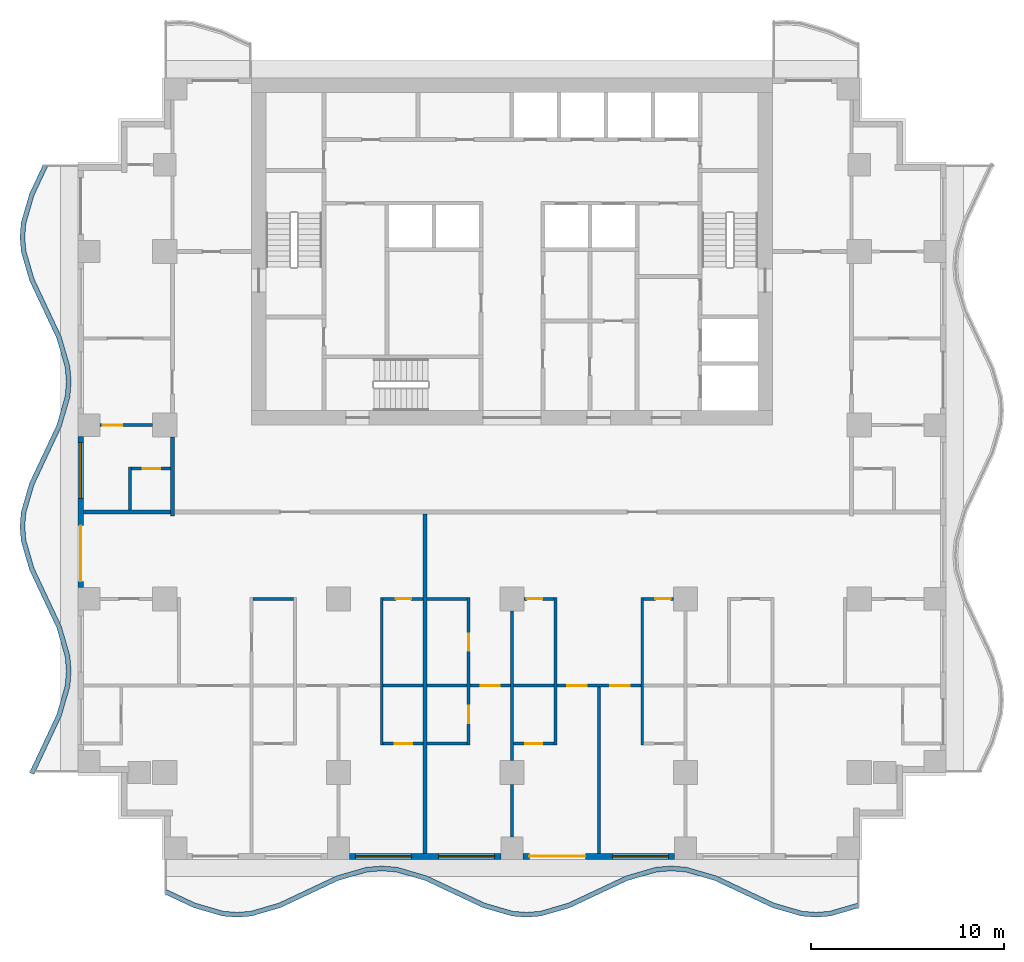
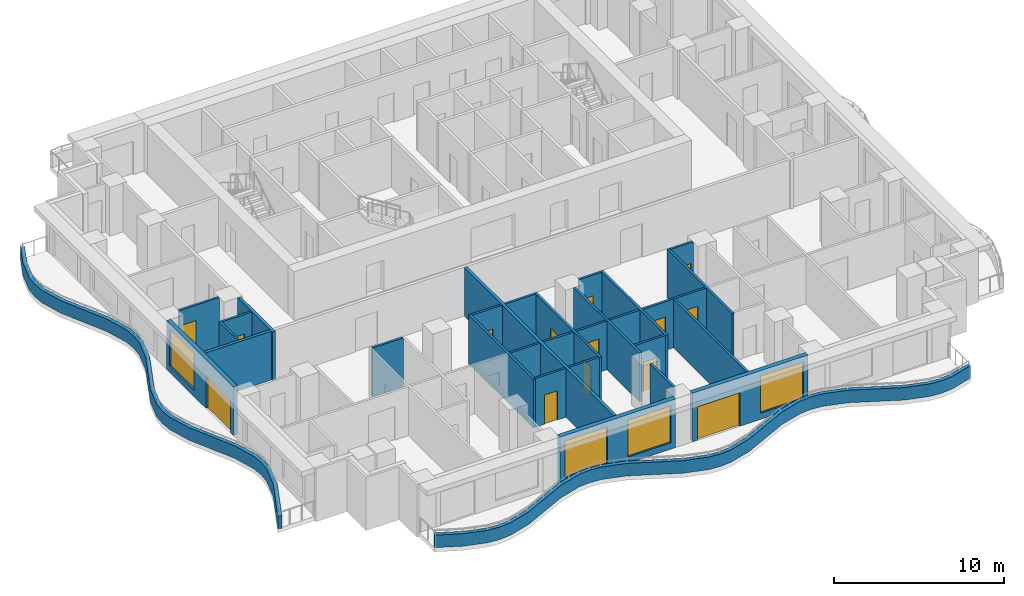
# One storey, part 2 of 10: 31 walls, 14 doors, 4 windows, 18 openings.
"""IFC4 building model written with IfcOpenShell, lengths in metres."""

from ifc_helpers import new_model, si_unit, direction, frame, frame_2d, origin, place, context, subcontext, project, spatial, polyline, rectangle, outline, extrude, material, layer, layer_set, type_object, element, fill, save


model = new_model("IFC4")

# Units and contexts
model_context = context("Model", 3, precision=1e-05, world=origin(), true_north=direction((0.0, 1.0)))
body_context = subcontext(model_context, "Body", "Model", "MODEL_VIEW")
ifc_project = project(units=[si_unit("LENGTHUNIT", "METRE"), si_unit("AREAUNIT", "SQUARE_METRE"), si_unit("VOLUMEUNIT", "CUBIC_METRE"), si_unit("PLANEANGLEUNIT", "RADIAN"), si_unit("MASSUNIT", "GRAM", prefix="KILO")], contexts=[model_context])

# Site, building, storey
site_placement = place(None, origin())
site = spatial("IfcSite", under=ifc_project, at=site_placement, CompositionType="ELEMENT")
building_placement = place(site_placement, origin())
building = spatial("IfcBuilding", under=site, at=building_placement, Name="Orbiselva Terraces", CompositionType="ELEMENT")
storey_placement = place(building_placement, frame((0.0, 0.0, 144.0)))
storey = spatial("IfcBuildingStorey", under=building, at=storey_placement, Name="L36", CompositionType="ELEMENT", Elevation=144.0)

# Walls
ifc_material_1 = material(Name="Concrete C40/50", Category="concrete")
ifc_layer_1 = layer(ifc_material_1, 0.25)
ifc_layer_set_1 = layer_set([ifc_layer_1], Name="Concrete C40/50")
wall_type_1 = type_object("IfcWallType", Name="ENV-PLANTER-250x900", PredefinedType="USERDEFINED", material=ifc_layer_set_1)
wall_1_placement = place(storey_placement, origin())
element("IfcWall", 1, at=wall_1_placement, inside=storey, type_object=wall_type_1, Name="Balcony planter L36 S", ObjectType="PLANTER", PredefinedType="USERDEFINED", context=body_context, shape_type="SweptSolid", body=[
    extrude(outline(polyline([(-18.0, -19.8), (-16.5, -20.505342), (-15.0, -20.941268), (-14.25, -21.0), (-13.5, -20.941268), (-12.0, -20.505342), (-10.5, -19.8), (-9.0, -19.094658), (-7.5, -18.658732), (-6.75, -18.6), (-6.0, -18.658732), (-4.5, -19.094658), (-3.0, -19.8), (-1.5, -20.505342), (0.0, -20.941268), (0.75, -21.0), (1.5, -20.941268), (3.0, -20.505342), (4.5, -19.8), (6.0, -19.094658), (7.5, -18.658732), (8.25, -18.6), (9.0, -18.658732), (10.5, -19.094658), (12.0, -19.8), (13.5, -20.505342), (15.0, -20.941268), (15.75, -21.0), (16.5, -20.941268), (18.0, -20.505342), (17.930232, -20.265274), (16.454886, -20.694035), (15.75, -20.749235), (15.045114, -20.694035), (13.588618, -20.270753), (12.106383, -19.573764), (10.588618, -18.860069), (9.045114, -18.411499), (8.25, -18.349235), (7.454886, -18.411499), (5.911382, -18.860069), (4.393617, -19.573764), (2.911382, -20.270753), (1.454886, -20.694035), (0.75, -20.749235), (0.045114, -20.694035), (-1.411382, -20.270753), (-2.893617, -19.573764), (-4.411382, -18.860069), (-5.954886, -18.411499), (-6.75, -18.349235), (-7.545114, -18.411499), (-9.088618, -18.860069), (-10.606383, -19.573764), (-12.088618, -20.270753), (-13.545114, -20.694035), (-14.25, -20.749235), (-14.954886, -20.694035), (-16.411382, -20.270753), (-17.893617, -19.573764), (-18.0, -19.8)])), origin(), (0.0, 0.0, 1.0), 0.9),
])
wall_2_placement = place(storey_placement, origin())
element("IfcWall", 2, at=wall_2_placement, inside=storey, type_object=wall_type_1, Name="Balcony planter L36 W", ObjectType="PLANTER", PredefinedType="USERDEFINED", context=body_context, shape_type="SweptSolid", body=[
    extrude(outline(polyline([(-24.3, 18.0), (-25.005342, 16.5), (-25.441268, 15.0), (-25.5, 14.25), (-25.441268, 13.5), (-25.005342, 12.0), (-24.3, 10.5), (-23.594658, 9.0), (-23.158732, 7.5), (-23.1, 6.75), (-23.158732, 6.0), (-23.594658, 4.5), (-24.3, 3.0), (-25.005342, 1.5), (-25.441268, 0.0), (-25.5, -0.75), (-25.441268, -1.5), (-25.005342, -3.0), (-24.3, -4.5), (-23.594658, -6.0), (-23.158732, -7.5), (-23.1, -8.25), (-23.158732, -9.0), (-23.594658, -10.5), (-24.3, -12.0), (-25.005342, -13.5), (-24.779106, -13.606383), (-24.073764, -12.106383), (-23.360069, -10.588618), (-22.911499, -9.045114), (-22.849235, -8.25), (-22.911499, -7.454886), (-23.360069, -5.911382), (-24.073764, -4.393617), (-24.770753, -2.911382), (-25.194035, -1.454886), (-25.249235, -0.75), (-25.194035, -0.045114), (-24.770753, 1.411382), (-24.073764, 2.893617), (-23.360069, 4.411382), (-22.911499, 5.954886), (-22.849235, 6.75), (-22.911499, 7.545114), (-23.360069, 9.088618), (-24.073764, 10.606383), (-24.770753, 12.088618), (-25.194035, 13.545114), (-25.249235, 14.25), (-25.194035, 14.954886), (-24.770753, 16.411382), (-24.073764, 17.893617), (-24.3, 18.0)])), origin(), (0.0, 0.0, 1.0), 0.9),
])

# Wall, openings, windows
ifc_material_2 = material(Name="Terracotta cladding on masonry backing", Category="masonry")
ifc_layer_2 = layer(ifc_material_2, 0.3)
ifc_layer_set_2 = layer_set([ifc_layer_2], Name="Terracotta cladding on masonry backing")
wall_type_2 = type_object("IfcWallType", Name="ENV-WALL-TERRACOTTA-300", PredefinedType="SOLIDWALL", material=ifc_layer_set_2)
wall_3_placement = place(storey_placement, frame((-0.575, -17.85, 0.0), z_axis=(0.0, 0.0, 1.0), x_axis=(-1.0, 0.0, 0.0)))
wall_3 = element("IfcWall", 3, at=wall_3_placement, inside=storey, type_object=wall_type_2, Name="Facade wall L36 S", PredefinedType="SOLIDWALL", context=body_context, shape_type="SweptSolid", body=[
    extrude(rectangle(XDim=7.85, YDim=0.3, at=frame_2d((3.925, 0.0))), origin(), (0.0, 0.0, 1.0), 3.5),
])
opening_1_placement = place(wall_3_placement, frame((4.625, 0.0, 0.45)))
opening_1 = element("IfcOpeningElement", 4, at=opening_1_placement, cuts=wall_3, Name="Opening WN8", PredefinedType="OPENING", context=body_context, shape_type="SweptSolid", body=[
    extrude(rectangle(XDim=2.9, YDim=2.65, at=frame_2d((1.45, 1.325))), frame((0.0, 0.16, 0.0), z_axis=(0.0, -1.0, 0.0), x_axis=(1.0, 0.0, 0.0)), (0.0, 0.0, 1.0), 0.32),
])
opening_2_placement = place(wall_3_placement, frame((0.325, 0.0, 0.45)))
opening_2 = element("IfcOpeningElement", 5, at=opening_2_placement, cuts=wall_3, Name="Opening WN8", PredefinedType="OPENING", context=body_context, shape_type="SweptSolid", body=[
    extrude(rectangle(XDim=2.9, YDim=2.65, at=frame_2d((1.45, 1.325))), frame((0.0, 0.16, 0.0), z_axis=(0.0, -1.0, 0.0), x_axis=(1.0, 0.0, 0.0)), (0.0, 0.0, 1.0), 0.32),
])
ifc_material_3 = material(Name="Clear low-e glazing in aluminium frame", Category="aluminium")
window_type = type_object("IfcWindowType", Name="WINDOW 2900 X 2650 S450", PartitioningType="TRIPLE_PANEL_VERTICAL", PredefinedType="WINDOW", material=ifc_material_3)
window_1_placement = place(opening_1_placement, origin())
window_1 = element("IfcWindow", 6, at=window_1_placement, inside=storey, type_object=window_type, Name="Window L36 S", OverallHeight=2.65, OverallWidth=2.9, PartitioningType="SINGLE_PANEL", PredefinedType="WINDOW", context=body_context, shape_type="SweptSolid", body=[
    extrude(rectangle(XDim=2.9, YDim=2.65, at=frame_2d((1.45, 1.325))), frame((0.0, 0.03, 0.0), z_axis=(0.0, -1.0, 0.0), x_axis=(1.0, 0.0, 0.0)), (0.0, 0.0, 1.0), 0.06),
])
fill(opening_1, window_1)
window_2_placement = place(opening_2_placement, origin())
window_2 = element("IfcWindow", 7, at=window_2_placement, inside=storey, type_object=window_type, Name="Window L36 S", OverallHeight=2.65, OverallWidth=2.9, PartitioningType="SINGLE_PANEL", PredefinedType="WINDOW", context=body_context, shape_type="SweptSolid", body=[
    extrude(rectangle(XDim=2.9, YDim=2.65, at=frame_2d((1.45, 1.325))), frame((0.0, 0.03, 0.0), z_axis=(0.0, -1.0, 0.0), x_axis=(1.0, 0.0, 0.0)), (0.0, 0.0, 1.0), 0.06),
])
fill(opening_2, window_2)

# Wall, openings, door, window
wall_4_placement = place(storey_placement, frame((8.425, -17.85, 0.0), z_axis=(0.0, 0.0, 1.0), x_axis=(-1.0, 0.0, 0.0)))
wall_4 = element("IfcWall", 8, at=wall_4_placement, inside=storey, type_object=wall_type_2, Name="Facade wall L36 S", PredefinedType="SOLIDWALL", context=body_context, shape_type="SweptSolid", body=[
    extrude(rectangle(XDim=7.85, YDim=0.3, at=frame_2d((3.925, 0.0))), origin(), (0.0, 0.0, 1.0), 3.5),
])
opening_3_placement = place(wall_4_placement, frame((4.625, 0.0, 0.0)))
opening_3 = element("IfcOpeningElement", 9, at=opening_3_placement, cuts=wall_4, Name="Opening Z3-B-E02", PredefinedType="OPENING", context=body_context, shape_type="SweptSolid", body=[
    extrude(rectangle(XDim=2.9, YDim=2.4, at=frame_2d((1.45, 1.2))), frame((0.0, 0.16, 0.0), z_axis=(0.0, -1.0, 0.0), x_axis=(1.0, 0.0, 0.0)), (0.0, 0.0, 1.0), 0.32),
])
opening_4_placement = place(wall_4_placement, frame((0.325, 0.0, 0.45)))
opening_4 = element("IfcOpeningElement", 10, at=opening_4_placement, cuts=wall_4, Name="Opening WN8", PredefinedType="OPENING", context=body_context, shape_type="SweptSolid", body=[
    extrude(rectangle(XDim=2.9, YDim=2.65, at=frame_2d((1.45, 1.325))), frame((0.0, 0.16, 0.0), z_axis=(0.0, -1.0, 0.0), x_axis=(1.0, 0.0, 0.0)), (0.0, 0.0, 1.0), 0.32),
])
door_type_1 = type_object("IfcDoorType", Name="BALCONY DOOR 2900 X 2400", OperationType="DOUBLE_DOOR_SLIDING", PredefinedType="DOOR", material=ifc_material_3)
door_1_placement = place(opening_3_placement, origin())
door_1 = element("IfcDoor", 11, at=door_1_placement, inside=storey, type_object=door_type_1, Name="Z3-B-E02", OperationType="SINGLE_SWING_LEFT", OverallHeight=2.4, OverallWidth=2.9, PredefinedType="DOOR", context=body_context, shape_type="SweptSolid", body=[
    extrude(rectangle(XDim=2.9, YDim=2.4, at=frame_2d((1.45, 1.2))), frame((0.0, 0.025, 0.0), z_axis=(0.0, -1.0, 0.0), x_axis=(1.0, 0.0, 0.0)), (0.0, 0.0, 1.0), 0.05),
])
fill(opening_3, door_1)
window_3_placement = place(opening_4_placement, origin())
window_3 = element("IfcWindow", 12, at=window_3_placement, inside=storey, type_object=window_type, Name="Window L36 S", OverallHeight=2.65, OverallWidth=2.9, PartitioningType="SINGLE_PANEL", PredefinedType="WINDOW", context=body_context, shape_type="SweptSolid", body=[
    extrude(rectangle(XDim=2.9, YDim=2.65, at=frame_2d((1.45, 1.325))), frame((0.0, 0.03, 0.0), z_axis=(0.0, -1.0, 0.0), x_axis=(1.0, 0.0, 0.0)), (0.0, 0.0, 1.0), 0.06),
])
fill(opening_4, window_3)

wall_5_placement = place(storey_placement, frame((-22.35, -3.925, 0.0), z_axis=(0.0, 0.0, 1.0), x_axis=(0.0, 1.0, 0.0)))
wall_5 = element("IfcWall", 13, at=wall_5_placement, inside=storey, type_object=wall_type_2, Name="Facade wall L36 W", PredefinedType="SOLIDWALL", context=body_context, shape_type="SweptSolid", body=[
    extrude(rectangle(XDim=7.85, YDim=0.3, at=frame_2d((3.925, 0.0))), origin(), (0.0, 0.0, 1.0), 3.5),
])
opening_5_placement = place(wall_5_placement, frame((4.625, 0.0, 0.45)))
opening_5 = element("IfcOpeningElement", 14, at=opening_5_placement, cuts=wall_5, Name="Opening WN8", PredefinedType="OPENING", context=body_context, shape_type="SweptSolid", body=[
    extrude(rectangle(XDim=2.9, YDim=2.65, at=frame_2d((1.45, 1.325))), frame((0.0, 0.16, 0.0), z_axis=(0.0, -1.0, 0.0), x_axis=(1.0, 0.0, 0.0)), (0.0, 0.0, 1.0), 0.32),
])
opening_6_placement = place(wall_5_placement, frame((0.325, 0.0, 0.0)))
opening_6 = element("IfcOpeningElement", 15, at=opening_6_placement, cuts=wall_5, Name="Opening Z3-B-E10", PredefinedType="OPENING", context=body_context, shape_type="SweptSolid", body=[
    extrude(rectangle(XDim=2.9, YDim=2.4, at=frame_2d((1.45, 1.2))), frame((0.0, 0.16, 0.0), z_axis=(0.0, -1.0, 0.0), x_axis=(1.0, 0.0, 0.0)), (0.0, 0.0, 1.0), 0.32),
])
door_2_placement = place(opening_6_placement, origin())
door_2 = element("IfcDoor", 16, at=door_2_placement, inside=storey, type_object=door_type_1, Name="Z3-B-E10", OperationType="SINGLE_SWING_LEFT", OverallHeight=2.4, OverallWidth=2.9, PredefinedType="DOOR", context=body_context, shape_type="SweptSolid", body=[
    extrude(rectangle(XDim=2.9, YDim=2.4, at=frame_2d((1.45, 1.2))), frame((0.0, 0.025, 0.0), z_axis=(0.0, -1.0, 0.0), x_axis=(1.0, 0.0, 0.0)), (0.0, 0.0, 1.0), 0.05),
])
fill(opening_6, door_2)
window_4_placement = place(opening_5_placement, origin())
window_4 = element("IfcWindow", 17, at=window_4_placement, inside=storey, type_object=window_type, Name="Window L36 W", OverallHeight=2.65, OverallWidth=2.9, PartitioningType="SINGLE_PANEL", PredefinedType="WINDOW", context=body_context, shape_type="SweptSolid", body=[
    extrude(rectangle(XDim=2.9, YDim=2.65, at=frame_2d((1.45, 1.325))), frame((0.0, 0.03, 0.0), z_axis=(0.0, -1.0, 0.0), x_axis=(1.0, 0.0, 0.0)), (0.0, 0.0, 1.0), 0.06),
])
fill(opening_5, window_4)

# Wall
ifc_material_4 = material(Name="Plasterboard on steel stud partition", Category="steel")
ifc_layer_3 = layer(ifc_material_4, 0.2)
ifc_layer_set_3 = layer_set([ifc_layer_3], Name="Plasterboard on steel stud partition")
wall_type_3 = type_object("IfcWallType", Name="UNIT-ENTRANCE-WALL-200", PredefinedType="PARTITIONING", material=ifc_layer_set_3)
wall_6_placement = place(storey_placement, frame((-17.6, -0.2, 0.0), z_axis=(0.0, 0.0, 1.0), x_axis=(0.0, 1.0, 0.0)))
element("IfcWall", 18, at=wall_6_placement, inside=storey, type_object=wall_type_3, Name="PARTITION L36-042", PredefinedType="PARTITIONING", context=body_context, shape_type="SweptSolid", body=[
    extrude(rectangle(XDim=4.075, YDim=0.2, at=frame_2d((2.0375, 0.0))), origin(), (0.0, 0.0, 1.0), 3.5),
])

# Wall, opening, door
ifc_layer_4 = layer(ifc_material_4, 0.15)
ifc_layer_set_4 = layer_set([ifc_layer_4], Name="Plasterboard on steel stud partition")
wall_type_4 = type_object("IfcWallType", Name="UNIT-PARTITION-150", PredefinedType="PARTITIONING", material=ifc_layer_set_4)
wall_7_placement = place(storey_placement, frame((-6.675, -12.0, 0.0), z_axis=(0.0, 0.0, 1.0), x_axis=(1.0, 0.0, 0.0)))
wall_7 = element("IfcWall", 19, at=wall_7_placement, inside=storey, type_object=wall_type_4, Name="PARTITION L36-003", PredefinedType="PARTITIONING", context=body_context, shape_type="SweptSolid", body=[
    extrude(rectangle(XDim=2.075, YDim=0.15, at=frame_2d((1.0375, 0.0))), origin(), (0.0, 0.0, 1.0), 3.5),
])
opening_7_placement = place(wall_7_placement, frame((0.6, 0.0, 0.0)))
opening_7 = element("IfcOpeningElement", 20, at=opening_7_placement, cuts=wall_7, Name="Opening Z3-B-22", PredefinedType="OPENING", context=body_context, shape_type="SweptSolid", body=[
    extrude(rectangle(XDim=0.9, YDim=2.1, at=frame_2d((0.45, 1.05))), frame((0.0, 0.085, 0.0), z_axis=(0.0, -1.0, 0.0), x_axis=(1.0, 0.0, 0.0)), (0.0, 0.0, 1.0), 0.17),
])
ifc_material_5 = material(Name="Painted timber door leaf", Category="wood")
door_type_2 = type_object("IfcDoorType", Name="BATH DOOR 900", OperationType="NOTDEFINED", PredefinedType="DOOR", material=ifc_material_5)
door_3_placement = place(opening_7_placement, origin())
door_3 = element("IfcDoor", 21, at=door_3_placement, inside=storey, type_object=door_type_2, Name="Z3-B-22", OperationType="SINGLE_SWING_RIGHT", OverallHeight=2.1, OverallWidth=0.9, PredefinedType="DOOR", context=body_context, shape_type="SweptSolid", body=[
    extrude(rectangle(XDim=0.9, YDim=2.1, at=frame_2d((0.45, 1.05))), frame((0.0, 0.025, 0.0), z_axis=(0.0, -1.0, 0.0), x_axis=(1.0, 0.0, 0.0)), (0.0, 0.0, 1.0), 0.05),
])
fill(opening_7, door_3)

# Wall
wall_8_placement = place(storey_placement, frame((-4.4, -12.0, 0.0), z_axis=(0.0, 0.0, 1.0), x_axis=(1.0, 0.0, 0.0)))
element("IfcWall", 22, at=wall_8_placement, inside=storey, type_object=wall_type_4, Name="PARTITION L36-004", PredefinedType="PARTITIONING", context=body_context, shape_type="SweptSolid", body=[
    extrude(rectangle(XDim=2.075, YDim=0.15, at=frame_2d((1.0375, 0.0))), origin(), (0.0, 0.0, 1.0), 3.5),
])

# Wall, opening, door
wall_9_placement = place(storey_placement, frame((0.075, -12.0, 0.0), z_axis=(0.0, 0.0, 1.0), x_axis=(1.0, 0.0, 0.0)))
wall_9 = element("IfcWall", 23, at=wall_9_placement, inside=storey, type_object=wall_type_4, Name="PARTITION L36-005", PredefinedType="PARTITIONING", context=body_context, shape_type="SweptSolid", body=[
    extrude(rectangle(XDim=2.1, YDim=0.15, at=frame_2d((1.05, 0.0))), origin(), (0.0, 0.0, 1.0), 3.5),
])
opening_8_placement = place(wall_9_placement, frame((0.6, 0.0, 0.0)))
opening_8 = element("IfcOpeningElement", 24, at=opening_8_placement, cuts=wall_9, Name="Opening Z3-B-32", PredefinedType="OPENING", context=body_context, shape_type="SweptSolid", body=[
    extrude(rectangle(XDim=0.9, YDim=2.1, at=frame_2d((0.45, 1.05))), frame((0.0, 0.085, 0.0), z_axis=(0.0, -1.0, 0.0), x_axis=(1.0, 0.0, 0.0)), (0.0, 0.0, 1.0), 0.17),
])
door_4_placement = place(opening_8_placement, origin())
door_4 = element("IfcDoor", 25, at=door_4_placement, inside=storey, type_object=door_type_2, Name="Z3-B-32", OperationType="SINGLE_SWING_RIGHT", OverallHeight=2.1, OverallWidth=0.9, PredefinedType="DOOR", context=body_context, shape_type="SweptSolid", body=[
    extrude(rectangle(XDim=0.9, YDim=2.1, at=frame_2d((0.45, 1.05))), frame((0.0, 0.025, 0.0), z_axis=(0.0, -1.0, 0.0), x_axis=(1.0, 0.0, 0.0)), (0.0, 0.0, 1.0), 0.05),
])
fill(opening_8, door_4)

# Walls
for number, where, z_axis, x_axis, name in (
    (26, (-6.675, -9.0, 0.0), (0.0, 0.0, 1.0), (1.0, 0.0, 0.0), "PARTITION L36-011"),
    (27, (-4.4, -9.0, 0.0), (0.0, 0.0, 1.0), (1.0, 0.0, 0.0), "PARTITION L36-012"),
):
    element("IfcWall", number, at=place(storey_placement, frame(where, z_axis=z_axis, x_axis=x_axis)), inside=storey, type_object=wall_type_4, Name=name, PredefinedType="PARTITIONING", context=body_context, shape_type="SweptSolid", body=[
        extrude(rectangle(XDim=2.075, YDim=0.15, at=frame_2d((1.0375, 0.0))), origin(), (0.0, 0.0, 1.0), 3.5),
    ])

# Wall, opening, door
wall_10_placement = place(storey_placement, frame((-0.075, -9.0, 0.0), z_axis=(0.0, 0.0, 1.0), x_axis=(-1.0, 0.0, 0.0)))
wall_10 = element("IfcWall", 28, at=wall_10_placement, inside=storey, type_object=wall_type_4, Name="PARTITION L36-013", PredefinedType="PARTITIONING", context=body_context, shape_type="SweptSolid", body=[
    extrude(rectangle(XDim=2.1, YDim=0.15, at=frame_2d((1.05, 0.0))), origin(), (0.0, 0.0, 1.0), 3.5),
])
opening_9_placement = place(wall_10_placement, frame((0.55, 0.0, 0.0)))
opening_9 = element("IfcOpeningElement", 29, at=opening_9_placement, cuts=wall_10, Name="Opening Z3-B-29", PredefinedType="OPENING", context=body_context, shape_type="SweptSolid", body=[
    extrude(rectangle(XDim=1.0, YDim=2.4, at=frame_2d((0.5, 1.2))), frame((0.0, 0.085, 0.0), z_axis=(0.0, -1.0, 0.0), x_axis=(1.0, 0.0, 0.0)), (0.0, 0.0, 1.0), 0.17),
])
door_type_3 = type_object("IfcDoorType", Name="ROOM DOOR 1000", OperationType="NOTDEFINED", PredefinedType="DOOR", material=ifc_material_5)
door_5_placement = place(opening_9_placement, origin())
door_5 = element("IfcDoor", 30, at=door_5_placement, inside=storey, type_object=door_type_3, Name="Z3-B-29", OperationType="SINGLE_SWING_RIGHT", OverallHeight=2.4, OverallWidth=1.0, PredefinedType="DOOR", context=body_context, shape_type="SweptSolid", body=[
    extrude(rectangle(XDim=1.0, YDim=2.4, at=frame_2d((0.5, 1.2))), frame((0.0, 0.025, 0.0), z_axis=(0.0, -1.0, 0.0), x_axis=(1.0, 0.0, 0.0)), (0.0, 0.0, 1.0), 0.05),
])
fill(opening_9, door_5)

# Wall
wall_11_placement = place(storey_placement, frame((0.075, -9.0, 0.0), z_axis=(0.0, 0.0, 1.0), x_axis=(1.0, 0.0, 0.0)))
element("IfcWall", 31, at=wall_11_placement, inside=storey, type_object=wall_type_4, Name="PARTITION L36-014", PredefinedType="PARTITIONING", context=body_context, shape_type="SweptSolid", body=[
    extrude(rectangle(XDim=2.1, YDim=0.15, at=frame_2d((1.05, 0.0))), origin(), (0.0, 0.0, 1.0), 3.5),
])

# Wall, openings, doors
wall_12_placement = place(storey_placement, frame((6.675, -9.0, 0.0), z_axis=(0.0, 0.0, 1.0), x_axis=(-1.0, 0.0, 0.0)))
wall_12 = element("IfcWall", 32, at=wall_12_placement, inside=storey, type_object=wall_type_4, Name="PARTITION L36-015", PredefinedType="PARTITIONING", context=body_context, shape_type="SweptSolid", body=[
    extrude(rectangle(XDim=4.35, YDim=0.15, at=frame_2d((2.175, 0.0))), origin(), (0.0, 0.0, 1.0), 3.5),
])
opening_10_placement = place(wall_12_placement, frame((2.8, 0.0, 0.0)))
opening_10 = element("IfcOpeningElement", 33, at=opening_10_placement, cuts=wall_12, Name="Opening Z3-B-31", PredefinedType="OPENING", context=body_context, shape_type="SweptSolid", body=[
    extrude(rectangle(XDim=1.0, YDim=2.4, at=frame_2d((0.5, 1.2))), frame((0.0, 0.085, 0.0), z_axis=(0.0, -1.0, 0.0), x_axis=(1.0, 0.0, 0.0)), (0.0, 0.0, 1.0), 0.17),
])
opening_11_placement = place(wall_12_placement, frame((0.575, 0.0, 0.0)))
opening_11 = element("IfcOpeningElement", 34, at=opening_11_placement, cuts=wall_12, Name="Opening Z3-B-33", PredefinedType="OPENING", context=body_context, shape_type="SweptSolid", body=[
    extrude(rectangle(XDim=1.0, YDim=2.4, at=frame_2d((0.5, 1.2))), frame((0.0, 0.085, 0.0), z_axis=(0.0, -1.0, 0.0), x_axis=(1.0, 0.0, 0.0)), (0.0, 0.0, 1.0), 0.17),
])
door_6_placement = place(opening_10_placement, origin())
door_6 = element("IfcDoor", 35, at=door_6_placement, inside=storey, type_object=door_type_3, Name="Z3-B-31", OperationType="SINGLE_SWING_RIGHT", OverallHeight=2.4, OverallWidth=1.0, PredefinedType="DOOR", context=body_context, shape_type="SweptSolid", body=[
    extrude(rectangle(XDim=1.0, YDim=2.4, at=frame_2d((0.5, 1.2))), frame((0.0, 0.025, 0.0), z_axis=(0.0, -1.0, 0.0), x_axis=(1.0, 0.0, 0.0)), (0.0, 0.0, 1.0), 0.05),
])
fill(opening_10, door_6)
door_7_placement = place(opening_11_placement, origin())
door_7 = element("IfcDoor", 36, at=door_7_placement, inside=storey, type_object=door_type_3, Name="Z3-B-33", OperationType="SINGLE_SWING_LEFT", OverallHeight=2.4, OverallWidth=1.0, PredefinedType="DOOR", context=body_context, shape_type="SweptSolid", body=[
    extrude(rectangle(XDim=1.0, YDim=2.4, at=frame_2d((0.5, 1.2))), frame((0.0, 0.025, 0.0), z_axis=(0.0, -1.0, 0.0), x_axis=(1.0, 0.0, 0.0)), (0.0, 0.0, 1.0), 0.05),
])
fill(opening_11, door_7)

# Wall
wall_13_placement = place(storey_placement, frame((-13.425, -4.5, 0.0), z_axis=(0.0, 0.0, 1.0), x_axis=(1.0, 0.0, 0.0)))
element("IfcWall", 37, at=wall_13_placement, inside=storey, type_object=wall_type_4, Name="PARTITION L36-020", PredefinedType="PARTITIONING", context=body_context, shape_type="SweptSolid", body=[
    extrude(rectangle(XDim=2.1, YDim=0.15, at=frame_2d((1.05, 0.0))), origin(), (0.0, 0.0, 1.0), 3.5),
])

# Wall, opening, door
wall_14_placement = place(storey_placement, frame((-4.6, -4.5, 0.0), z_axis=(0.0, 0.0, 1.0), x_axis=(-1.0, 0.0, 0.0)))
wall_14 = element("IfcWall", 38, at=wall_14_placement, inside=storey, type_object=wall_type_4, Name="PARTITION L36-021", PredefinedType="PARTITIONING", context=body_context, shape_type="SweptSolid", body=[
    extrude(rectangle(XDim=2.075, YDim=0.15, at=frame_2d((1.0375, 0.0))), origin(), (0.0, 0.0, 1.0), 3.5),
])
opening_12_placement = place(wall_14_placement, frame((0.625, 0.0, 0.0)))
opening_12 = element("IfcOpeningElement", 39, at=opening_12_placement, cuts=wall_14, Name="Opening Z3-B-16", PredefinedType="OPENING", context=body_context, shape_type="SweptSolid", body=[
    extrude(rectangle(XDim=0.8, YDim=2.0, at=frame_2d((0.4, 1.0))), frame((0.0, 0.085, 0.0), z_axis=(0.0, -1.0, 0.0), x_axis=(1.0, 0.0, 0.0)), (0.0, 0.0, 1.0), 0.17),
])
door_type_4 = type_object("IfcDoorType", Name="STORE DOOR 800", OperationType="NOTDEFINED", PredefinedType="DOOR", material=ifc_material_5)
door_8_placement = place(opening_12_placement, origin())
door_8 = element("IfcDoor", 40, at=door_8_placement, inside=storey, type_object=door_type_4, Name="Z3-B-16", OperationType="SINGLE_SWING_LEFT", OverallHeight=2.0, OverallWidth=0.8, PredefinedType="DOOR", context=body_context, shape_type="SweptSolid", body=[
    extrude(rectangle(XDim=0.8, YDim=2.0, at=frame_2d((0.4, 1.0))), frame((0.0, 0.025, 0.0), z_axis=(0.0, -1.0, 0.0), x_axis=(1.0, 0.0, 0.0)), (0.0, 0.0, 1.0), 0.05),
])
fill(opening_12, door_8)

# Wall
wall_15_placement = place(storey_placement, frame((-4.4, -4.5, 0.0), z_axis=(0.0, 0.0, 1.0), x_axis=(1.0, 0.0, 0.0)))
element("IfcWall", 41, at=wall_15_placement, inside=storey, type_object=wall_type_4, Name="PARTITION L36-022", PredefinedType="PARTITIONING", context=body_context, shape_type="SweptSolid", body=[
    extrude(rectangle(XDim=2.075, YDim=0.15, at=frame_2d((1.0375, 0.0))), origin(), (0.0, 0.0, 1.0), 3.5),
])

# Wall, opening, door
wall_16_placement = place(storey_placement, frame((2.175, -4.5, 0.0), z_axis=(0.0, 0.0, 1.0), x_axis=(-1.0, 0.0, 0.0)))
wall_16 = element("IfcWall", 42, at=wall_16_placement, inside=storey, type_object=wall_type_4, Name="PARTITION L36-023", PredefinedType="PARTITIONING", context=body_context, shape_type="SweptSolid", body=[
    extrude(rectangle(XDim=1.55, YDim=0.15, at=frame_2d((0.775, 0.0))), origin(), (0.0, 0.0, 1.0), 3.5),
])
opening_13_placement = place(wall_16_placement, frame((0.6, 0.0, 0.0)))
opening_13 = element("IfcOpeningElement", 43, at=opening_13_placement, cuts=wall_16, Name="Opening Z3-B-25", PredefinedType="OPENING", context=body_context, shape_type="SweptSolid", body=[
    extrude(rectangle(XDim=0.8, YDim=2.0, at=frame_2d((0.4, 1.0))), frame((0.0, 0.085, 0.0), z_axis=(0.0, -1.0, 0.0), x_axis=(1.0, 0.0, 0.0)), (0.0, 0.0, 1.0), 0.17),
])
door_9_placement = place(opening_13_placement, origin())
door_9 = element("IfcDoor", 44, at=door_9_placement, inside=storey, type_object=door_type_4, Name="Z3-B-25", OperationType="SINGLE_SWING_RIGHT", OverallHeight=2.0, OverallWidth=0.8, PredefinedType="DOOR", context=body_context, shape_type="SweptSolid", body=[
    extrude(rectangle(XDim=0.8, YDim=2.0, at=frame_2d((0.4, 1.0))), frame((0.0, 0.025, 0.0), z_axis=(0.0, -1.0, 0.0), x_axis=(1.0, 0.0, 0.0)), (0.0, 0.0, 1.0), 0.05),
])
fill(opening_13, door_9)

wall_17_placement = place(storey_placement, frame((8.375, -4.5, 0.0), z_axis=(0.0, 0.0, 1.0), x_axis=(-1.0, 0.0, 0.0)))
wall_17 = element("IfcWall", 45, at=wall_17_placement, inside=storey, type_object=wall_type_4, Name="PARTITION L36-024", PredefinedType="PARTITIONING", context=body_context, shape_type="SweptSolid", body=[
    extrude(rectangle(XDim=1.55, YDim=0.15, at=frame_2d((0.775, 0.0))), origin(), (0.0, 0.0, 1.0), 3.5),
])
opening_14_placement = place(wall_17_placement, frame((0.15, 0.0, 0.0)))
opening_14 = element("IfcOpeningElement", 46, at=opening_14_placement, cuts=wall_17, Name="Opening Z3-B-26", PredefinedType="OPENING", context=body_context, shape_type="SweptSolid", body=[
    extrude(rectangle(XDim=0.8, YDim=2.0, at=frame_2d((0.4, 1.0))), frame((0.0, 0.085, 0.0), z_axis=(0.0, -1.0, 0.0), x_axis=(1.0, 0.0, 0.0)), (0.0, 0.0, 1.0), 0.17),
])
door_10_placement = place(opening_14_placement, origin())
door_10 = element("IfcDoor", 47, at=door_10_placement, inside=storey, type_object=door_type_4, Name="Z3-B-26", OperationType="SINGLE_SWING_LEFT", OverallHeight=2.0, OverallWidth=0.8, PredefinedType="DOOR", context=body_context, shape_type="SweptSolid", body=[
    extrude(rectangle(XDim=0.8, YDim=2.0, at=frame_2d((0.4, 1.0))), frame((0.0, 0.025, 0.0), z_axis=(0.0, -1.0, 0.0), x_axis=(1.0, 0.0, 0.0)), (0.0, 0.0, 1.0), 0.05),
])
fill(opening_14, door_10)

wall_18_placement = place(storey_placement, frame((-17.7, 2.25, 0.0), z_axis=(0.0, 0.0, 1.0), x_axis=(-1.0, 0.0, 0.0)))
wall_18 = element("IfcWall", 48, at=wall_18_placement, inside=storey, type_object=wall_type_4, Name="PARTITION L36-030", PredefinedType="PARTITIONING", context=body_context, shape_type="SweptSolid", body=[
    extrude(rectangle(XDim=2.03, YDim=0.15, at=frame_2d((1.015, 0.0))), origin(), (0.0, 0.0, 1.0), 3.5),
])
opening_15_placement = place(wall_18_placement, frame((0.53, 0.0, 0.0)))
opening_15 = element("IfcOpeningElement", 49, at=opening_15_placement, cuts=wall_18, Name="Opening Z3-B-04", PredefinedType="OPENING", context=body_context, shape_type="SweptSolid", body=[
    extrude(rectangle(XDim=0.9, YDim=2.1, at=frame_2d((0.45, 1.05))), frame((0.0, 0.085, 0.0), z_axis=(0.0, -1.0, 0.0), x_axis=(1.0, 0.0, 0.0)), (0.0, 0.0, 1.0), 0.17),
])
door_11_placement = place(opening_15_placement, origin())
door_11 = element("IfcDoor", 50, at=door_11_placement, inside=storey, type_object=door_type_2, Name="Z3-B-04", OperationType="SINGLE_SWING_LEFT", OverallHeight=2.1, OverallWidth=0.9, PredefinedType="DOOR", context=body_context, shape_type="SweptSolid", body=[
    extrude(rectangle(XDim=0.9, YDim=2.1, at=frame_2d((0.45, 1.05))), frame((0.0, 0.025, 0.0), z_axis=(0.0, -1.0, 0.0), x_axis=(1.0, 0.0, 0.0)), (0.0, 0.0, 1.0), 0.05),
])
fill(opening_15, door_11)

wall_19_placement = place(storey_placement, frame((-18.625, 4.5, 0.0), z_axis=(0.0, 0.0, 1.0), x_axis=(-1.0, 0.0, 0.0)))
wall_19 = element("IfcWall", 51, at=wall_19_placement, inside=storey, type_object=wall_type_4, Name="PARTITION L36-032", PredefinedType="PARTITIONING", context=body_context, shape_type="SweptSolid", body=[
    extrude(rectangle(XDim=2.725, YDim=0.15, at=frame_2d((1.3625, 0.0))), origin(), (0.0, 0.0, 1.0), 3.5),
])
opening_16_placement = place(wall_19_placement, frame((1.575, 0.0, 0.0)))
opening_16 = element("IfcOpeningElement", 52, at=opening_16_placement, cuts=wall_19, Name="Opening Z3-B-03", PredefinedType="OPENING", context=body_context, shape_type="SweptSolid", body=[
    extrude(rectangle(XDim=1.0, YDim=2.4, at=frame_2d((0.5, 1.2))), frame((0.0, 0.085, 0.0), z_axis=(0.0, -1.0, 0.0), x_axis=(1.0, 0.0, 0.0)), (0.0, 0.0, 1.0), 0.17),
])
door_12_placement = place(opening_16_placement, origin())
door_12 = element("IfcDoor", 53, at=door_12_placement, inside=storey, type_object=door_type_3, Name="Z3-B-03", OperationType="SINGLE_SWING_RIGHT", OverallHeight=2.4, OverallWidth=1.0, PredefinedType="DOOR", context=body_context, shape_type="SweptSolid", body=[
    extrude(rectangle(XDim=1.0, YDim=2.4, at=frame_2d((0.5, 1.2))), frame((0.0, 0.025, 0.0), z_axis=(0.0, -1.0, 0.0), x_axis=(1.0, 0.0, 0.0)), (0.0, 0.0, 1.0), 0.05),
])
fill(opening_16, door_12)

# Walls
wall_20_placement = place(storey_placement, frame((-19.805, 0.1, 0.0), z_axis=(0.0, 0.0, 1.0), x_axis=(0.0, 1.0, 0.0)))
element("IfcWall", 54, at=wall_20_placement, inside=storey, type_object=wall_type_4, Name="PARTITION L36-041", PredefinedType="PARTITIONING", context=body_context, shape_type="SweptSolid", body=[
    extrude(rectangle(XDim=2.225, YDim=0.15, at=frame_2d((1.1125, 0.0))), origin(), (0.0, 0.0, 1.0), 3.5),
])
wall_21_placement = place(storey_placement, frame((-6.75, -12.075, 0.0), z_axis=(0.0, 0.0, 1.0), x_axis=(0.0, 1.0, 0.0)))
element("IfcWall", 55, at=wall_21_placement, inside=storey, type_object=wall_type_4, Name="PARTITION L36-051", PredefinedType="PARTITIONING", context=body_context, shape_type="SweptSolid", body=[
    extrude(rectangle(XDim=7.65, YDim=0.15, at=frame_2d((3.825, 0.0))), origin(), (0.0, 0.0, 1.0), 3.5),
])

# Wall, openings, doors
wall_22_placement = place(storey_placement, frame((-2.25, -12.075, 0.0), z_axis=(0.0, 0.0, 1.0), x_axis=(0.0, 1.0, 0.0)))
wall_22 = element("IfcWall", 56, at=wall_22_placement, inside=storey, type_object=wall_type_4, Name="PARTITION L36-053", PredefinedType="PARTITIONING", context=body_context, shape_type="SweptSolid", body=[
    extrude(rectangle(XDim=7.65, YDim=0.15, at=frame_2d((3.825, 0.0))), origin(), (0.0, 0.0, 1.0), 3.5),
])
opening_17_placement = place(wall_22_placement, frame((4.875, 0.0, 0.0)))
opening_17 = element("IfcOpeningElement", 57, at=opening_17_placement, cuts=wall_22, Name="Opening Z3-B-24", PredefinedType="OPENING", context=body_context, shape_type="SweptSolid", body=[
    extrude(rectangle(XDim=0.9, YDim=2.1, at=frame_2d((0.45, 1.05))), frame((0.0, 0.085, 0.0), z_axis=(0.0, -1.0, 0.0), x_axis=(1.0, 0.0, 0.0)), (0.0, 0.0, 1.0), 0.17),
])
opening_18_placement = place(wall_22_placement, frame((1.125, 0.0, 0.0)))
opening_18 = element("IfcOpeningElement", 58, at=opening_18_placement, cuts=wall_22, Name="Opening Z3-B-30", PredefinedType="OPENING", context=body_context, shape_type="SweptSolid", body=[
    extrude(rectangle(XDim=0.9, YDim=2.1, at=frame_2d((0.45, 1.05))), frame((0.0, 0.085, 0.0), z_axis=(0.0, -1.0, 0.0), x_axis=(1.0, 0.0, 0.0)), (0.0, 0.0, 1.0), 0.17),
])
door_13_placement = place(opening_17_placement, origin())
door_13 = element("IfcDoor", 59, at=door_13_placement, inside=storey, type_object=door_type_2, Name="Z3-B-24", OperationType="SINGLE_SWING_RIGHT", OverallHeight=2.1, OverallWidth=0.9, PredefinedType="DOOR", context=body_context, shape_type="SweptSolid", body=[
    extrude(rectangle(XDim=0.9, YDim=2.1, at=frame_2d((0.45, 1.05))), frame((0.0, 0.025, 0.0), z_axis=(0.0, -1.0, 0.0), x_axis=(1.0, 0.0, 0.0)), (0.0, 0.0, 1.0), 0.05),
])
fill(opening_17, door_13)
door_14_placement = place(opening_18_placement, origin())
door_14 = element("IfcDoor", 60, at=door_14_placement, inside=storey, type_object=door_type_2, Name="Z3-B-30", OperationType="SINGLE_SWING_LEFT", OverallHeight=2.1, OverallWidth=0.9, PredefinedType="DOOR", context=body_context, shape_type="SweptSolid", body=[
    extrude(rectangle(XDim=0.9, YDim=2.1, at=frame_2d((0.45, 1.05))), frame((0.0, 0.025, 0.0), z_axis=(0.0, -1.0, 0.0), x_axis=(1.0, 0.0, 0.0)), (0.0, 0.0, 1.0), 0.05),
])
fill(opening_18, door_14)

# Walls
wall_23_placement = place(storey_placement, frame((0.0, -16.85, 0.0), z_axis=(0.0, 0.0, 1.0), x_axis=(0.0, 1.0, 0.0)))
element("IfcWall", 61, at=wall_23_placement, inside=storey, type_object=wall_type_4, Name="PARTITION L36-054", PredefinedType="PARTITIONING", context=body_context, shape_type="SweptSolid", body=[
    extrude(rectangle(XDim=2.725, YDim=0.15, at=frame_2d((1.3625, 0.0))), origin(), (0.0, 0.0, 1.0), 3.5),
])
wall_24_placement = place(storey_placement, frame((0.0, -12.875, 0.0), z_axis=(0.0, 0.0, 1.0), x_axis=(0.0, 1.0, 0.0)))
element("IfcWall", 62, at=wall_24_placement, inside=storey, type_object=wall_type_4, Name="PARTITION L36-055", PredefinedType="PARTITIONING", context=body_context, shape_type="SweptSolid", body=[
    extrude(rectangle(XDim=7.75, YDim=0.15, at=frame_2d((3.875, 0.0))), origin(), (0.0, 0.0, 1.0), 3.5),
])
wall_25_placement = place(storey_placement, frame((2.25, -12.075, 0.0), z_axis=(0.0, 0.0, 1.0), x_axis=(0.0, 1.0, 0.0)))
element("IfcWall", 63, at=wall_25_placement, inside=storey, type_object=wall_type_4, Name="PARTITION L36-056", PredefinedType="PARTITIONING", context=body_context, shape_type="SweptSolid", body=[
    extrude(rectangle(XDim=7.65, YDim=0.15, at=frame_2d((3.825, 0.0))), origin(), (0.0, 0.0, 1.0), 3.5),
])
wall_26_placement = place(storey_placement, frame((4.5, -17.7, 0.0), z_axis=(0.0, 0.0, 1.0), x_axis=(0.0, 1.0, 0.0)))
element("IfcWall", 64, at=wall_26_placement, inside=storey, type_object=wall_type_4, Name="PARTITION L36-057", PredefinedType="PARTITIONING", context=body_context, shape_type="SweptSolid", body=[
    extrude(rectangle(XDim=8.625, YDim=0.15, at=frame_2d((4.3125, 0.0))), origin(), (0.0, 0.0, 1.0), 3.5),
])
wall_27_placement = place(storey_placement, frame((6.75, -12.075, 0.0), z_axis=(0.0, 0.0, 1.0), x_axis=(0.0, 1.0, 0.0)))
element("IfcWall", 65, at=wall_27_placement, inside=storey, type_object=wall_type_4, Name="PARTITION L36-058", PredefinedType="PARTITIONING", context=body_context, shape_type="SweptSolid", body=[
    extrude(rectangle(XDim=7.65, YDim=0.15, at=frame_2d((3.825, 0.0))), origin(), (0.0, 0.0, 1.0), 3.5),
])
ifc_layer_5 = layer(ifc_material_4, 0.2)
ifc_layer_set_5 = layer_set([ifc_layer_5], Name="Plasterboard on steel stud partition")
wall_type_5 = type_object("IfcWallType", Name="UNIT-PARTY-WALL-200", PredefinedType="PARTITIONING", material=ifc_layer_set_5)
wall_28_placement = place(storey_placement, frame((-22.2, 0.0, 0.0), z_axis=(0.0, 0.0, 1.0), x_axis=(1.0, 0.0, 0.0)))
element("IfcWall", 66, at=wall_28_placement, inside=storey, type_object=wall_type_5, Name="PARTITION L36-028", PredefinedType="PARTITIONING", context=body_context, shape_type="SweptSolid", body=[
    extrude(rectangle(XDim=4.5, YDim=0.2, at=frame_2d((2.25, 0.0))), origin(), (0.0, 0.0, 1.0), 3.5),
])
wall_29_placement = place(storey_placement, frame((-4.5, -17.7, 0.0), z_axis=(0.0, 0.0, 1.0), x_axis=(0.0, 1.0, 0.0)))
element("IfcWall", 67, at=wall_29_placement, inside=storey, type_object=wall_type_5, Name="PARTITION L36-052", PredefinedType="PARTITIONING", context=body_context, shape_type="SweptSolid", body=[
    extrude(rectangle(XDim=17.6, YDim=0.2, at=frame_2d((8.8, 0.0))), origin(), (0.0, 0.0, 1.0), 3.5),
])

save(model, "model.ifc")
